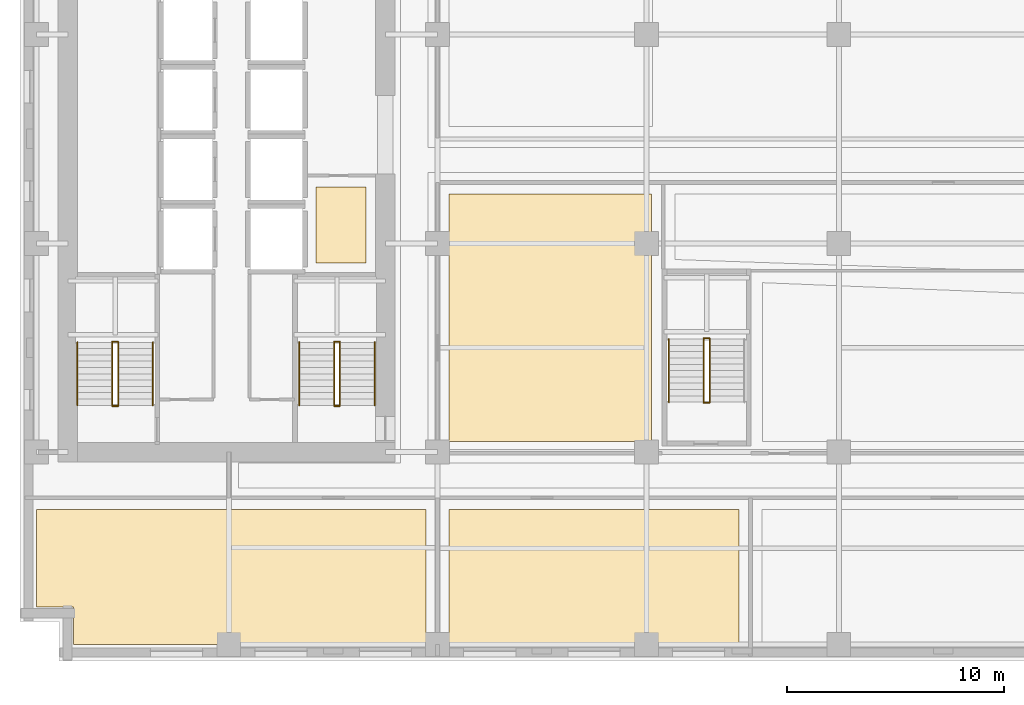
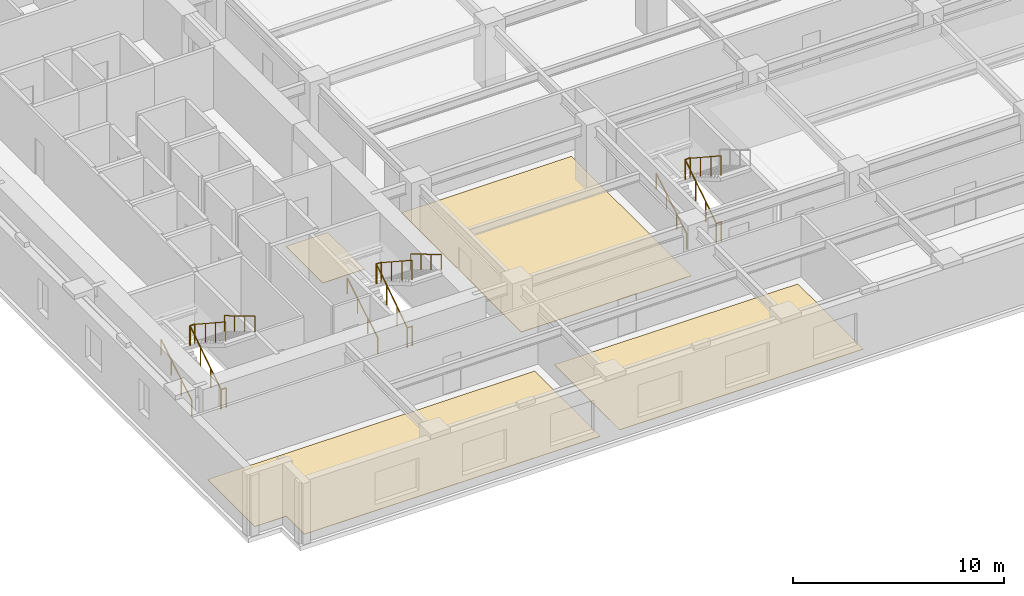
# One storey, part 10 of 14: 17 railings, 4 coverings.
"""IFC4 building model written with IfcOpenShell, lengths in metres."""

import ifcopenshell
import ifcopenshell.guid

model = None  # the IFC model being written
_history = None  # IfcOwnerHistory: only IFC2X3 demands one
_inside = {}  # id of a spatial element -> (the spatial element, [elements in it])
_under = {}  # id of a project, library or spatial element -> (it, [spatial elements below it])
_declared = {}  # id of a project -> (the project, [libraries it declares])
_typed = {}  # id of a type object -> (the type object, [elements of that type])
_made_of = {}  # id of a material, layer set ... -> (it, [elements and type objects made of it])


def new_model(schema):
    """Start an empty IFC model of exactly this schema.

    Asked for "IFC4X3", IfcOpenShell would pick the latest addendum, in which some entities
    have other attributes; the version numbers below select the first issue.
    IFC2X3 requires an IfcOwnerHistory on every rooted entity: one is made here for all.
    """
    global model, _history
    if schema == "IFC4X3":
        model = ifcopenshell.file(schema_version=(4, 3, 0, 0))
    else:
        model = ifcopenshell.file(schema=schema)
    _inside.clear()
    _under.clear()
    _declared.clear()
    _typed.clear()
    _made_of.clear()
    _history = None
    if model.schema == "IFC2X3":
        org = make("IfcOrganization", Name="unknown")
        user = make(
            "IfcPersonAndOrganization",
            ThePerson=make("IfcPerson", FamilyName="unknown"),
            TheOrganization=org,
        )
        app = make(
            "IfcApplication",
            ApplicationDeveloper=org,
            Version="unknown",
            ApplicationFullName="unknown",
            ApplicationIdentifier="unknown",
        )
        _history = make(
            "IfcOwnerHistory",
            OwningUser=user,
            OwningApplication=app,
            ChangeAction="ADDED",
            CreationDate=0,
        )
    return model


def make(cls, **values):
    """One entity of the class cls with the attributes given. An attribute that is None is left unset."""
    return model.create_entity(
        cls, **{name: value for name, value in values.items() if value is not None}
    )


def rooted(cls, **values):
    """An entity with a GlobalId (a new one), such as an element, a storey or a relation."""
    return make(cls, GlobalId=ifcopenshell.guid.new(), OwnerHistory=_history, **values)


def si_unit(unit_type, name, prefix=None):
    """IfcSIUnit, for example si_unit("LENGTHUNIT", "METRE", prefix="MILLI")."""
    return make("IfcSIUnit", UnitType=unit_type, Prefix=prefix, Name=name)


def assignment(units):
    """IfcUnitAssignment: the units of a project."""
    return None if units is None else make("IfcUnitAssignment", Units=units)


def point(xyz):
    """IfcCartesianPoint."""
    return None if xyz is None else make("IfcCartesianPoint", Coordinates=xyz)


def direction(xyz):
    """IfcDirection."""
    return None if xyz is None else make("IfcDirection", DirectionRatios=xyz)


def frame(location, z_axis=None, x_axis=None):
    """IfcAxis2Placement3D, a coordinate frame: its origin and axes. An axis left out is left unset."""
    return make(
        "IfcAxis2Placement3D",
        Location=point(location),
        Axis=direction(z_axis),
        RefDirection=direction(x_axis),
    )


def frame_2d(location, x_axis=None):
    """IfcAxis2Placement2D, a coordinate frame in the plane: its origin and x axis."""
    return make(
        "IfcAxis2Placement2D", Location=point(location), RefDirection=direction(x_axis)
    )


def origin():
    """The frame at (0, 0, 0) with its axes left unset."""
    return frame((0.0, 0.0, 0.0))


def origin_2d():
    """The frame at (0, 0) in the plane with its x axis left unset."""
    return frame_2d((0.0, 0.0))


def place(relative_to, where):
    """IfcLocalPlacement: puts the frame where relative to a parent placement (None: the world)."""
    return make(
        "IfcLocalPlacement", PlacementRelTo=relative_to, RelativePlacement=where
    )


def context(
    kind, dimensions, precision=None, world=None, true_north=None, identifier=None
):
    """IfcGeometricRepresentationContext, for example the 3D "Model" context."""
    return make(
        "IfcGeometricRepresentationContext",
        ContextIdentifier=identifier,
        ContextType=kind,
        CoordinateSpaceDimension=dimensions,
        Precision=precision,
        WorldCoordinateSystem=world,
        TrueNorth=true_north,
    )


def subcontext(parent, identifier, kind, view, scale=None):
    """IfcGeometricRepresentationSubContext, for example "Body" below "Model"."""
    return make(
        "IfcGeometricRepresentationSubContext",
        ContextIdentifier=identifier,
        ContextType=kind,
        ParentContext=parent,
        TargetScale=scale,
        TargetView=view,
    )


def project(units=None, contexts=None):
    """IfcProject with its units and contexts."""
    return rooted(
        "IfcProject",
        Name="project",
        RepresentationContexts=contexts,
        UnitsInContext=assignment(units),
    )


def spatial(cls, under=None, at=None, **own):
    """A site, building, storey or space (cls), placed at a placement, below another one or the project."""
    s = rooted(cls, ObjectPlacement=at, **own)
    if under is not None:
        _under.setdefault(under.id(), (under, []))[1].append(s)
    return s


def polyline(points):
    """IfcPolyline through the points."""
    return make("IfcPolyline", Points=[point(p) for p in points])


def profile(cls, at=None, kind="AREA", **sizes):
    """A parametric profile (cls). Its sizes go by their IFC names, for example OverallWidth=200.0."""
    return make(cls, ProfileType=kind, Position=at, **sizes)


def circle(**sizes):
    """IfcCircleProfileDef."""
    return profile("IfcCircleProfileDef", **sizes)


def outline(outer, holes=None, kind="AREA"):
    """IfcArbitraryClosedProfileDef: a profile drawn as a closed curve; with holes, ...WithVoids."""
    if holes is None:
        return make("IfcArbitraryClosedProfileDef", ProfileType=kind, OuterCurve=outer)
    return make(
        "IfcArbitraryProfileDefWithVoids",
        ProfileType=kind,
        OuterCurve=outer,
        InnerCurves=holes,
    )


def extrude(swept, where, along, depth):
    """IfcExtrudedAreaSolid: the profile swept, set in the frame where, extruded along a direction by depth."""
    return make(
        "IfcExtrudedAreaSolid",
        SweptArea=swept,
        Position=where,
        ExtrudedDirection=direction(along),
        Depth=depth,
    )


def shape(context_of_items, identifier, shape_type, items):
    """IfcShapeRepresentation: the items that make up one representation, for example the "Body"."""
    return make(
        "IfcShapeRepresentation",
        ContextOfItems=context_of_items,
        RepresentationIdentifier=identifier,
        RepresentationType=shape_type,
        Items=items,
    )


def material(Name=None, Category=None):
    """IfcMaterial."""
    return make("IfcMaterial", Name=Name, Category=Category)


def layer(
    of_material, thickness, ventilated=None, Name=None, Category=None, Priority=None
):
    """IfcMaterialLayer: one layer of a wall or slab, of a material (None: an air gap)."""
    return make(
        "IfcMaterialLayer",
        Material=of_material,
        LayerThickness=thickness,
        IsVentilated=ventilated,
        Name=Name,
        Category=Category,
        Priority=Priority,
    )


def layer_set(layers, Name=None):
    """IfcMaterialLayerSet."""
    return make("IfcMaterialLayerSet", MaterialLayers=layers, LayerSetName=Name)


def made_of(thing, what):
    """Note that an element or type object is made of a material, layer set ...; save() writes the relation."""
    if what is not None:
        _made_of.setdefault(what.id(), (what, []))[1].append(thing)
    return thing


def type_object(cls, material=None, **own):
    """A type object (cls), such as IfcWallType, which elements share."""
    return made_of(rooted(cls, **own), material)


def element(
    cls,
    number,
    at=None,
    inside=None,
    cuts=None,
    type_object=None,
    material=None,
    context=None,
    identifier="Body",
    shape_type=None,
    held_by="IfcProductDefinitionShape",
    body=None,
    shapes=None,
    **own,
):
    """One element of the class cls, such as IfcWall. Its Tag is "e" and its number.

    at: its placement. inside: the storey or other place that contains it. cuts: it is an
    opening in that element (IfcRelVoidsElement). A single representation is given by context,
    identifier, shape_type and body (its items); several are given by shapes. held_by: the class
    of the entity that holds the representations. save() writes the other relations.
    """
    e = rooted(cls, Tag="e%d" % number, ObjectPlacement=at, **own)
    if body is not None:
        shapes = [shape(context, identifier, shape_type, body)]
    if shapes is not None:
        e.Representation = make(held_by, Representations=shapes)
    if inside is not None:
        _inside.setdefault(inside.id(), (inside, []))[1].append(e)
    if cuts is not None:
        rooted(
            "IfcRelVoidsElement", RelatingBuildingElement=cuts, RelatedOpeningElement=e
        )
    if type_object is not None:
        _typed.setdefault(type_object.id(), (type_object, []))[1].append(e)
    return made_of(e, material)


def aggregate(whole, parts):
    """IfcRelAggregates: a whole, such as a stair, and the parts it consists of."""
    return rooted("IfcRelAggregates", RelatingObject=whole, RelatedObjects=parts)


def save(model, path):
    """Write the relations noted so far, then the file.

    IfcRelAggregates (storeys below a building ...), IfcRelContainedInSpatialStructure (elements
    in a storey), IfcRelDefinesByType, IfcRelAssociatesMaterial and IfcRelDeclares: one each for
    every whole, place, type object, material and project.
    """
    for whole, parts in _under.values():
        aggregate(whole, parts)
    for where, things in _inside.values():
        rooted(
            "IfcRelContainedInSpatialStructure",
            RelatedElements=things,
            RelatingStructure=where,
        )
    for kind, things in _typed.values():
        rooted("IfcRelDefinesByType", RelatedObjects=things, RelatingType=kind)
    for what, things in _made_of.values():
        rooted("IfcRelAssociatesMaterial", RelatedObjects=things, RelatingMaterial=what)
    for by, libraries in _declared.values():
        rooted("IfcRelDeclares", RelatingContext=by, RelatedDefinitions=libraries)
    model.write(path)


model = new_model("IFC4")

# Units and contexts
model_context = context("Model", 3, precision=1e-05, world=origin(), true_north=direction((0.0, 1.0)))
body_context = subcontext(model_context, "Body", "Model", "MODEL_VIEW")
ifc_project = project(units=[si_unit("LENGTHUNIT", "METRE"), si_unit("AREAUNIT", "SQUARE_METRE"), si_unit("VOLUMEUNIT", "CUBIC_METRE"), si_unit("PLANEANGLEUNIT", "RADIAN"), si_unit("MASSUNIT", "GRAM", prefix="KILO")], contexts=[model_context])

# Site, building, storey
site_placement = place(None, origin())
site = spatial("IfcSite", under=ifc_project, at=site_placement, CompositionType="ELEMENT")
building_placement = place(site_placement, origin())
building = spatial("IfcBuilding", under=site, at=building_placement, Name="Norrvale University Quadrangle", CompositionType="ELEMENT")
storey_placement = place(building_placement, frame((0.0, 0.0, 62.199951171875)))
storey = spatial("IfcBuildingStorey", under=building, at=storey_placement, Name="L15", CompositionType="ELEMENT", Elevation=62.199951171875)

# Coverings
ifc_material_1 = material(Name="Polished Terrazzo Flooring")
ifc_layer = layer(ifc_material_1, 0.02490234375, Name="Polished Terrazzo Flooring")
ifc_layer_set = layer_set([ifc_layer], Name="Polished Terrazzo Flooring")
covering_type = type_object("IfcCoveringType", Name="Covering Terrazzo Floor 30", PredefinedType="FLOORING", material=ifc_layer_set)
covering_1_placement = place(storey_placement, origin())
element("IfcCovering", 1, at=covering_1_placement, inside=storey, type_object=covering_type, Name="Terrazzo Flooring RM-L15-JAN", PredefinedType="FLOORING", context=body_context, shape_type="SweptSolid", body=[
    extrude(outline(polyline([(13.60009765625, 18.300048828125), (13.60009765625, 21.800048828125), (15.89990234375, 21.800048828125), (15.89990234375, 18.300048828125), (13.60009765625, 18.300048828125)])), origin(), (0.0, 0.0, 1.0), 0.025146484375),
])
covering_2_placement = place(storey_placement, origin())
element("IfcCovering", 2, at=covering_2_placement, inside=storey, type_object=covering_type, Name="Terrazzo Flooring RM-L15-S01", PredefinedType="FLOORING", context=body_context, shape_type="SweptSolid", body=[
    extrude(outline(polyline([(18.669921875, 6.969970703125), (18.669921875, 0.75), (2.469970703125, 0.75), (2.469970703125, 2.469970703125), (0.75, 2.469970703125), (0.75, 6.969970703125), (18.669921875, 6.969970703125)])), origin(), (0.0, 0.0, 1.0), 0.025146484375),
])
covering_3_placement = place(storey_placement, origin())
element("IfcCovering", 3, at=covering_3_placement, inside=storey, type_object=covering_type, Name="Terrazzo Flooring RM-L15-S02", PredefinedType="FLOORING", context=body_context, shape_type="SweptSolid", body=[
    extrude(outline(polyline([(33.070068359375, 6.969970703125), (33.070068359375, 0.75), (19.72998046875, 0.75), (19.72998046875, 6.969970703125), (33.070068359375, 6.969970703125)])), origin(), (0.0, 0.0, 1.0), 0.025146484375),
])
covering_4_placement = place(storey_placement, origin())
element("IfcCovering", 4, at=covering_4_placement, inside=storey, type_object=covering_type, Name="Terrazzo Flooring RM-L15-IW1", PredefinedType="FLOORING", context=body_context, shape_type="SweptSolid", body=[
    extrude(outline(polyline([(19.72998046875, 10.080078125), (19.72998046875, 21.469970703125), (29.050048828125, 21.469970703125), (29.050048828125, 10.080078125), (19.72998046875, 10.080078125)])), origin(), (0.0, 0.0, 1.0), 0.025146484375),
])

# Railings
ifc_material_2 = material(Name="Steel 350W Painted Balustrade", Category="steel")
railing_type_1 = type_object("IfcRailingType", Name="Railing Stair Guard 1100", PredefinedType="GUARDRAIL", material=ifc_material_2)
for number, where, name in (
    (5, (4.239990234375, 11.719970703125, 0.0), "Stair Floor Well Guard ST-01 L15"),
    (6, (4.239990234375, 14.679931640625, 1.900146484375), "Stair Mid-Landing Slot Guard ST-01 L15"),
):
    element("IfcRailing", number, at=place(storey_placement, frame(where)), inside=storey, type_object=railing_type_1, Name=name, PredefinedType="GUARDRAIL", context=body_context, shape_type="SweptSolid", body=[
        extrude(circle(Radius=0.02392578125, at=origin_2d()), frame((0.0, 0.0, 1.1259765625), z_axis=(1.0, 0.0, 0.0), x_axis=(0.0, 1.0, 0.0)), (0.0, 0.0, 1.0), 0.27001953125),
        extrude(circle(Radius=0.02099609375, at=origin_2d()), origin(), (0.0, 0.0, 1.0), 1.101806640625),
        extrude(circle(Radius=0.02099609375, at=origin_2d()), frame((0.27001953125, 0.0, 0.0)), (0.0, 0.0, 1.0), 1.101806640625),
    ])
railing_1_placement = place(storey_placement, frame((4.239990234375, 11.75, 0.0)))
element("IfcRailing", 7, at=railing_1_placement, inside=storey, type_object=railing_type_1, Name="Stair Lower Flight Inner Guard ST-01 L15", PredefinedType="GUARDRAIL", context=body_context, shape_type="SweptSolid", body=[
    extrude(circle(Radius=0.02392578125, at=origin_2d()), frame((0.0, 0.0, 1.1259765625), z_axis=(0.0, 0.836433300813, 0.548068730445), x_axis=(-1.0, 0.0, 0.0)), (0.0, 0.0, 1.0), 3.467041015625),
    extrude(circle(Radius=0.02099609375, at=origin_2d()), origin(), (0.0, 0.0, 1.0), 1.101806640625),
    extrude(circle(Radius=0.02099609375, at=origin_2d()), frame((0.0, 0.966552734375, 0.63330078125)), (0.0, 0.0, 1.0), 1.101806640625),
    extrude(circle(Radius=0.02099609375, at=origin_2d()), frame((0.0, 1.933349609375, 1.266845703125)), (0.0, 0.0, 1.0), 1.101806640625),
    extrude(circle(Radius=0.02099609375, at=origin_2d()), frame((0.0, 2.89990234375, 1.900146484375)), (0.0, 0.0, 1.0), 1.101806640625),
])
railing_2_placement = place(storey_placement, frame((4.510009765625, 14.64990234375, 1.900146484375)))
element("IfcRailing", 8, at=railing_2_placement, inside=storey, type_object=railing_type_1, Name="Stair Upper Flight Inner Guard ST-01 L15", PredefinedType="GUARDRAIL", context=body_context, shape_type="SweptSolid", body=[
    extrude(circle(Radius=0.02392578125, at=origin_2d()), frame((0.0, 0.0, 1.1259765625), z_axis=(0.0, -0.836465582154, 0.548019461216), x_axis=(1.0, 0.0, 0.0)), (0.0, 0.0, 1.0), 3.466796875),
    extrude(circle(Radius=0.02099609375, at=origin_2d()), origin(), (0.0, 0.0, 1.0), 1.101806640625),
    extrude(circle(Radius=0.02099609375, at=origin_2d()), frame((0.0, -0.966552734375, 0.63330078125)), (0.0, 0.0, 1.0), 1.101806640625),
    extrude(circle(Radius=0.02099609375, at=origin_2d()), frame((0.0, -1.933349609375, 1.2666015625)), (0.0, 0.0, 1.0), 1.101806640625),
    extrude(circle(Radius=0.02099609375, at=origin_2d()), frame((0.0, -2.89990234375, 1.89990234375)), (0.0, 0.0, 1.0), 1.101806640625),
])
for number, where, name in (
    (9, (14.43994140625, 11.719970703125, 0.0), "Stair Floor Well Guard ST-03 L15"),
    (10, (14.43994140625, 14.679931640625, 1.900146484375), "Stair Mid-Landing Slot Guard ST-03 L15"),
):
    element("IfcRailing", number, at=place(storey_placement, frame(where)), inside=storey, type_object=railing_type_1, Name=name, PredefinedType="GUARDRAIL", context=body_context, shape_type="SweptSolid", body=[
        extrude(circle(Radius=0.02392578125, at=origin_2d()), frame((0.0, 0.0, 1.1259765625), z_axis=(1.0, 0.0, 0.0), x_axis=(0.0, 1.0, 0.0)), (0.0, 0.0, 1.0), 0.27001953125),
        extrude(circle(Radius=0.02099609375, at=origin_2d()), origin(), (0.0, 0.0, 1.0), 1.101806640625),
        extrude(circle(Radius=0.02099609375, at=origin_2d()), frame((0.27001953125, 0.0, 0.0)), (0.0, 0.0, 1.0), 1.101806640625),
    ])
railing_3_placement = place(storey_placement, frame((14.43994140625, 11.75, 0.0)))
element("IfcRailing", 11, at=railing_3_placement, inside=storey, type_object=railing_type_1, Name="Stair Lower Flight Inner Guard ST-03 L15", PredefinedType="GUARDRAIL", context=body_context, shape_type="SweptSolid", body=[
    extrude(circle(Radius=0.02392578125, at=origin_2d()), frame((0.0, 0.0, 1.1259765625), z_axis=(0.0, 0.836433300813, 0.548068730445), x_axis=(-1.0, 0.0, 0.0)), (0.0, 0.0, 1.0), 3.467041015625),
    extrude(circle(Radius=0.02099609375, at=origin_2d()), origin(), (0.0, 0.0, 1.0), 1.101806640625),
    extrude(circle(Radius=0.02099609375, at=origin_2d()), frame((0.0, 0.966552734375, 0.63330078125)), (0.0, 0.0, 1.0), 1.101806640625),
    extrude(circle(Radius=0.02099609375, at=origin_2d()), frame((0.0, 1.933349609375, 1.266845703125)), (0.0, 0.0, 1.0), 1.101806640625),
    extrude(circle(Radius=0.02099609375, at=origin_2d()), frame((0.0, 2.89990234375, 1.900146484375)), (0.0, 0.0, 1.0), 1.101806640625),
])
railing_4_placement = place(storey_placement, frame((14.7099609375, 14.64990234375, 1.900146484375)))
element("IfcRailing", 12, at=railing_4_placement, inside=storey, type_object=railing_type_1, Name="Stair Upper Flight Inner Guard ST-03 L15", PredefinedType="GUARDRAIL", context=body_context, shape_type="SweptSolid", body=[
    extrude(circle(Radius=0.02392578125, at=origin_2d()), frame((0.0, 0.0, 1.1259765625), z_axis=(0.0, -0.836465582154, 0.548019461216), x_axis=(1.0, 0.0, 0.0)), (0.0, 0.0, 1.0), 3.466796875),
    extrude(circle(Radius=0.02099609375, at=origin_2d()), origin(), (0.0, 0.0, 1.0), 1.101806640625),
    extrude(circle(Radius=0.02099609375, at=origin_2d()), frame((0.0, -0.966552734375, 0.63330078125)), (0.0, 0.0, 1.0), 1.101806640625),
    extrude(circle(Radius=0.02099609375, at=origin_2d()), frame((0.0, -1.933349609375, 1.2666015625)), (0.0, 0.0, 1.0), 1.101806640625),
    extrude(circle(Radius=0.02099609375, at=origin_2d()), frame((0.0, -2.89990234375, 1.89990234375)), (0.0, 0.0, 1.0), 1.101806640625),
])
for number, where, name in (
    (13, (31.43994140625, 11.8701171875, 0.0), "Stair Floor Well Guard ST-04 L15"),
    (14, (31.43994140625, 14.830078125, 1.900146484375), "Stair Mid-Landing Slot Guard ST-04 L15"),
):
    element("IfcRailing", number, at=place(storey_placement, frame(where)), inside=storey, type_object=railing_type_1, Name=name, PredefinedType="GUARDRAIL", context=body_context, shape_type="SweptSolid", body=[
        extrude(circle(Radius=0.02392578125, at=origin_2d()), frame((0.0, 0.0, 1.1259765625), z_axis=(1.0, 0.0, 0.0), x_axis=(0.0, 1.0, 0.0)), (0.0, 0.0, 1.0), 0.27001953125),
        extrude(circle(Radius=0.02099609375, at=origin_2d()), origin(), (0.0, 0.0, 1.0), 1.101806640625),
        extrude(circle(Radius=0.02099609375, at=origin_2d()), frame((0.27001953125, 0.0, 0.0)), (0.0, 0.0, 1.0), 1.101806640625),
    ])
railing_5_placement = place(storey_placement, frame((31.43994140625, 11.89990234375, 0.0)))
element("IfcRailing", 15, at=railing_5_placement, inside=storey, type_object=railing_type_1, Name="Stair Lower Flight Inner Guard ST-04 L15", PredefinedType="GUARDRAIL", context=body_context, shape_type="SweptSolid", body=[
    extrude(circle(Radius=0.02392578125, at=origin_2d()), frame((0.0, 0.0, 1.1259765625), z_axis=(0.0, 0.836454451266, 0.548036450392), x_axis=(-1.0, 0.0, 0.0)), (0.0, 0.0, 1.0), 3.46728515625),
    extrude(circle(Radius=0.02099609375, at=origin_2d()), origin(), (0.0, 0.0, 1.0), 1.101806640625),
    extrude(circle(Radius=0.02099609375, at=origin_2d()), frame((0.0, 0.966796875, 0.63330078125)), (0.0, 0.0, 1.0), 1.101806640625),
    extrude(circle(Radius=0.02099609375, at=origin_2d()), frame((0.0, 1.933349609375, 1.266845703125)), (0.0, 0.0, 1.0), 1.101806640625),
    extrude(circle(Radius=0.02099609375, at=origin_2d()), frame((0.0, 2.900146484375, 1.900146484375)), (0.0, 0.0, 1.0), 1.101806640625),
])
railing_6_placement = place(storey_placement, frame((31.7099609375, 14.800048828125, 1.900146484375)))
element("IfcRailing", 16, at=railing_6_placement, inside=storey, type_object=railing_type_1, Name="Stair Upper Flight Inner Guard ST-04 L15", PredefinedType="GUARDRAIL", context=body_context, shape_type="SweptSolid", body=[
    extrude(circle(Radius=0.02392578125, at=origin_2d()), frame((0.0, 0.0, 1.1259765625), z_axis=(0.0, -0.836486729621, 0.547987181573), x_axis=(1.0, 0.0, 0.0)), (0.0, 0.0, 1.0), 3.467041015625),
    extrude(circle(Radius=0.02099609375, at=origin_2d()), origin(), (0.0, 0.0, 1.0), 1.101806640625),
    extrude(circle(Radius=0.02099609375, at=origin_2d()), frame((0.0, -0.966796875, 0.63330078125)), (0.0, 0.0, 1.0), 1.101806640625),
    extrude(circle(Radius=0.02099609375, at=origin_2d()), frame((0.0, -1.933349609375, 1.2666015625)), (0.0, 0.0, 1.0), 1.101806640625),
    extrude(circle(Radius=0.02099609375, at=origin_2d()), frame((0.0, -2.900146484375, 1.89990234375)), (0.0, 0.0, 1.0), 1.101806640625),
])
ifc_material_3 = material(Name="Stainless Steel 316L Handrail", Category="steel")
railing_type_2 = type_object("IfcRailingType", Name="Railing Stair Handrail 920", PredefinedType="HANDRAIL", material=ifc_material_3)
railing_7_placement = place(storey_placement, frame((2.639892578125, 11.75, 0.1728515625)))
element("IfcRailing", 17, at=railing_7_placement, inside=storey, type_object=railing_type_2, Name="Stair Lower Flight Handrail ST-01 L15", PredefinedType="HANDRAIL", context=body_context, shape_type="SweptSolid", body=[
    extrude(circle(Radius=0.02392578125, at=origin_2d()), frame((0.0, 0.0, 0.89599609375), z_axis=(0.0, 0.859141464434, 0.511738159696), x_axis=(-1.0, 0.0, 0.0)), (0.0, 0.0, 1.0), 3.375244140625),
    extrude(circle(Radius=0.02099609375, at=origin_2d()), origin(), (0.0, 0.0, 1.0), 0.871826171875),
    extrude(circle(Radius=0.02099609375, at=origin_2d()), frame((0.0, 0.966552734375, 0.57568359375)), (0.0, 0.0, 1.0), 0.871826171875),
    extrude(circle(Radius=0.02099609375, at=origin_2d()), frame((0.0, 1.933349609375, 1.151611328125)), (0.0, 0.0, 1.0), 0.871826171875),
    extrude(circle(Radius=0.02099609375, at=origin_2d()), frame((0.0, 2.89990234375, 1.727294921875)), (0.0, 0.0, 1.0), 0.871826171875),
])
railing_8_placement = place(storey_placement, frame((6.110107421875, 14.64990234375, 2.07275390625)))
element("IfcRailing", 18, at=railing_8_placement, inside=storey, type_object=railing_type_2, Name="Stair Upper Flight Handrail ST-01 L15", PredefinedType="HANDRAIL", context=body_context, shape_type="SweptSolid", body=[
    extrude(circle(Radius=0.02392578125, at=origin_2d()), frame((0.0, 0.0, 0.89599609375), z_axis=(0.0, -0.859141464434, 0.511738159696), x_axis=(1.0, 0.0, 0.0)), (0.0, 0.0, 1.0), 3.375244140625),
    extrude(circle(Radius=0.02099609375, at=origin_2d()), origin(), (0.0, 0.0, 1.0), 0.871826171875),
    extrude(circle(Radius=0.02099609375, at=origin_2d()), frame((0.0, -0.966552734375, 0.57568359375)), (0.0, 0.0, 1.0), 0.871826171875),
    extrude(circle(Radius=0.02099609375, at=origin_2d()), frame((0.0, -1.933349609375, 1.151611328125)), (0.0, 0.0, 1.0), 0.871826171875),
    extrude(circle(Radius=0.02099609375, at=origin_2d()), frame((0.0, -2.89990234375, 1.727294921875)), (0.0, 0.0, 1.0), 0.871826171875),
])
railing_9_placement = place(storey_placement, frame((12.840087890625, 11.75, 0.1728515625)))
element("IfcRailing", 19, at=railing_9_placement, inside=storey, type_object=railing_type_2, Name="Stair Lower Flight Handrail ST-03 L15", PredefinedType="HANDRAIL", context=body_context, shape_type="SweptSolid", body=[
    extrude(circle(Radius=0.02392578125, at=origin_2d()), frame((0.0, 0.0, 0.89599609375), z_axis=(0.0, 0.859141464434, 0.511738159696), x_axis=(-1.0, 0.0, 0.0)), (0.0, 0.0, 1.0), 3.375244140625),
    extrude(circle(Radius=0.02099609375, at=origin_2d()), origin(), (0.0, 0.0, 1.0), 0.871826171875),
    extrude(circle(Radius=0.02099609375, at=origin_2d()), frame((0.0, 0.966552734375, 0.57568359375)), (0.0, 0.0, 1.0), 0.871826171875),
    extrude(circle(Radius=0.02099609375, at=origin_2d()), frame((0.0, 1.933349609375, 1.151611328125)), (0.0, 0.0, 1.0), 0.871826171875),
    extrude(circle(Radius=0.02099609375, at=origin_2d()), frame((0.0, 2.89990234375, 1.727294921875)), (0.0, 0.0, 1.0), 0.871826171875),
])
railing_10_placement = place(storey_placement, frame((16.31005859375, 14.64990234375, 2.07275390625)))
element("IfcRailing", 20, at=railing_10_placement, inside=storey, type_object=railing_type_2, Name="Stair Upper Flight Handrail ST-03 L15", PredefinedType="HANDRAIL", context=body_context, shape_type="SweptSolid", body=[
    extrude(circle(Radius=0.02392578125, at=origin_2d()), frame((0.0, 0.0, 0.89599609375), z_axis=(0.0, -0.859141464434, 0.511738159696), x_axis=(1.0, 0.0, 0.0)), (0.0, 0.0, 1.0), 3.375244140625),
    extrude(circle(Radius=0.02099609375, at=origin_2d()), origin(), (0.0, 0.0, 1.0), 0.871826171875),
    extrude(circle(Radius=0.02099609375, at=origin_2d()), frame((0.0, -0.966552734375, 0.57568359375)), (0.0, 0.0, 1.0), 0.871826171875),
    extrude(circle(Radius=0.02099609375, at=origin_2d()), frame((0.0, -1.933349609375, 1.151611328125)), (0.0, 0.0, 1.0), 0.871826171875),
    extrude(circle(Radius=0.02099609375, at=origin_2d()), frame((0.0, -2.89990234375, 1.727294921875)), (0.0, 0.0, 1.0), 0.871826171875),
])
railing_11_placement = place(storey_placement, frame((29.840087890625, 11.89990234375, 0.1728515625)))
element("IfcRailing", 21, at=railing_11_placement, inside=storey, type_object=railing_type_2, Name="Stair Lower Flight Handrail ST-04 L15", PredefinedType="HANDRAIL", context=body_context, shape_type="SweptSolid", body=[
    extrude(circle(Radius=0.02392578125, at=origin_2d()), frame((0.0, 0.0, 0.89599609375), z_axis=(0.0, 0.859160404282, 0.51170636083), x_axis=(-1.0, 0.0, 0.0)), (0.0, 0.0, 1.0), 3.37548828125),
    extrude(circle(Radius=0.02099609375, at=origin_2d()), origin(), (0.0, 0.0, 1.0), 0.871826171875),
    extrude(circle(Radius=0.02099609375, at=origin_2d()), frame((0.0, 0.966796875, 0.57568359375)), (0.0, 0.0, 1.0), 0.871826171875),
    extrude(circle(Radius=0.02099609375, at=origin_2d()), frame((0.0, 1.933349609375, 1.151611328125)), (0.0, 0.0, 1.0), 0.871826171875),
    extrude(circle(Radius=0.02099609375, at=origin_2d()), frame((0.0, 2.900146484375, 1.727294921875)), (0.0, 0.0, 1.0), 0.871826171875),
])

save(model, "model.ifc")
